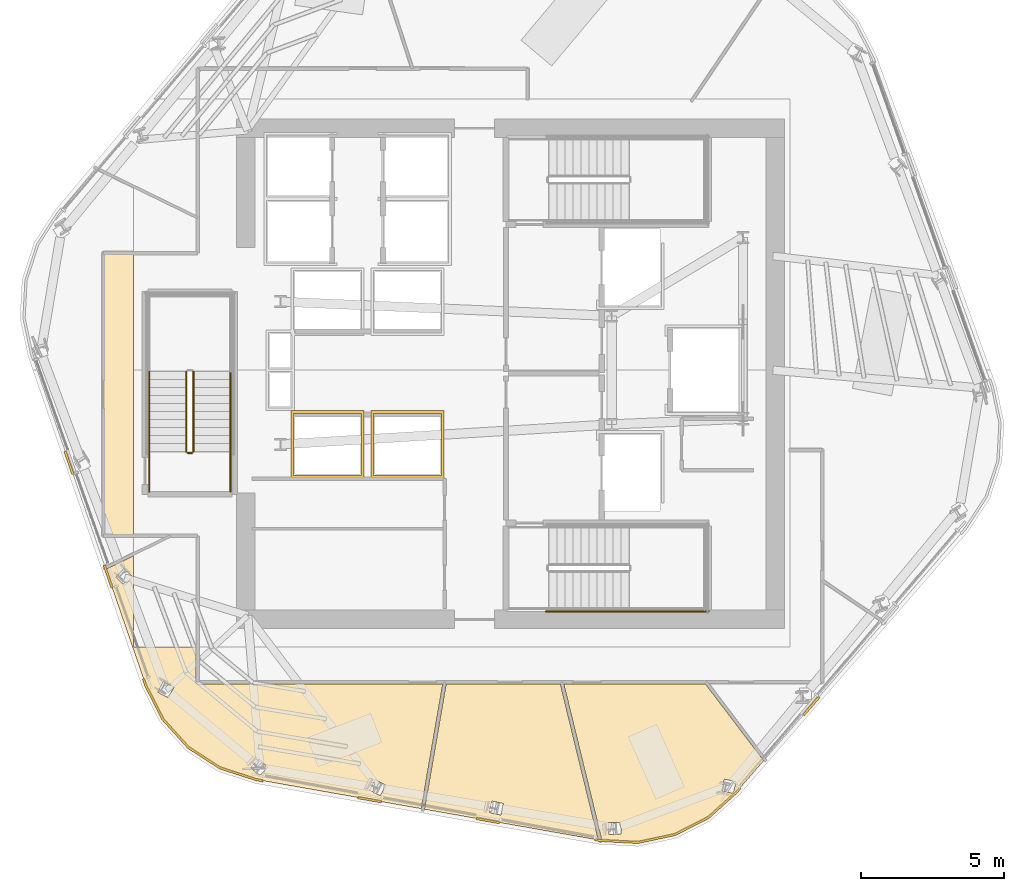
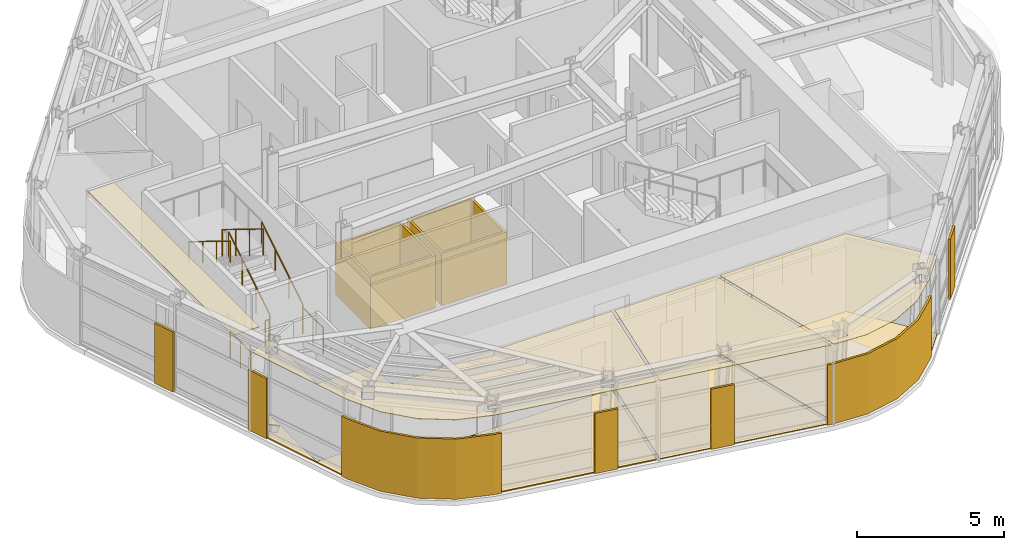
# One storey, part 8 of 12: 16 coverings, 8 railings.
"""IFC4 building model written with IfcOpenShell, lengths in metres."""

from ifc_helpers import new_model, si_unit, direction, frame, origin, origin_2d, place, context, subcontext, project, spatial, polyline, circle, outline, extrude, material, layer, layer_set, type_object, element, save


model = new_model("IFC4")

# Units and contexts
model_context = context("Model", 3, precision=1e-05, world=origin(), true_north=direction((0.0, 1.0)))
body_context = subcontext(model_context, "Body", "Model", "MODEL_VIEW")
ifc_project = project(units=[si_unit("LENGTHUNIT", "METRE"), si_unit("AREAUNIT", "SQUARE_METRE"), si_unit("VOLUMEUNIT", "CUBIC_METRE"), si_unit("PLANEANGLEUNIT", "RADIAN"), si_unit("MASSUNIT", "GRAM", prefix="KILO")], contexts=[model_context])

# Site, building, storey
site_placement = place(None, origin())
site = spatial("IfcSite", under=ifc_project, at=site_placement, CompositionType="ELEMENT")
building_placement = place(site_placement, origin())
building = spatial("IfcBuilding", under=site, at=building_placement, Name="Valkerne Bourse Tower", CompositionType="ELEMENT")
storey_placement = place(building_placement, frame((0.0, 0.0, 236.0)))
storey = spatial("IfcBuildingStorey", under=building, at=storey_placement, Name="L60", CompositionType="ELEMENT", Elevation=236.0)

# Coverings
ifc_material_1 = material(Name="Mineral Fiber Acoustic Ceiling Tile", Category="acoustic")
ifc_layer_1 = layer(ifc_material_1, 0.02490234375)
ifc_layer_set_1 = layer_set([ifc_layer_1], Name="Mineral Fiber Acoustic Ceiling Tile")
covering_type_1 = type_object("IfcCoveringType", Name="COV-CEIL-ACT", PredefinedType="CEILING", material=ifc_layer_set_1)
covering_1_placement = place(storey_placement, frame((0.0, 0.0, 3.25)))
element("IfcCovering", 1, at=covering_1_placement, inside=storey, type_object=covering_type_1, Name="L60 Suspended Ceiling 05", PredefinedType="CEILING", context=body_context, shape_type="SweptSolid", body=[
    extrude(outline(polyline([(48.550048828125, 16.010986328125), (49.882568359375, 10.54443359375), (43.79345703125, 11.62109375), (44.5517578125, 16.010986328125), (48.550048828125, 16.010986328125)]), holes=[polyline([(46.152587890625, 11.910400390625), (46.150390625, 11.91064453125), (46.060302734375, 11.5087890625), (46.463623046875, 11.41796875), (46.4658203125, 11.417724609375), (46.55615234375, 11.819580078125), (46.152587890625, 11.910400390625)])]), origin(), (0.0, 0.0, 1.0), 0.02490234375),
])
covering_2_placement = place(storey_placement, frame((0.0, 0.0, 3.25)))
element("IfcCovering", 2, at=covering_2_placement, inside=storey, type_object=covering_type_1, Name="L60 Suspended Ceiling 06", PredefinedType="CEILING", context=body_context, shape_type="SweptSolid", body=[
    extrude(outline(polyline([(52.558349609375, 10.739013671875), (51.267578125, 10.46484375), (50.00732421875, 10.53076171875), (48.67138671875, 16.010986328125), (53.632080078125, 16.010986328125), (55.6728515625, 13.322509765625), (54.72216796875, 12.227783203125), (53.73388671875, 11.338134765625), (52.558349609375, 10.739013671875)]), holes=[polyline([(50.6748046875, 10.75439453125), (50.659912109375, 11.166015625), (50.24658203125, 11.151611328125), (50.244384765625, 11.15087890625), (50.25927734375, 10.7392578125), (50.67236328125, 10.75390625), (50.6748046875, 10.75439453125)]), polyline([(54.69970703125, 12.58251953125), (54.299072265625, 12.676513671875), (54.297119140625, 12.67529296875), (54.203369140625, 12.27197265625), (54.60400390625, 12.17822265625), (54.606201171875, 12.17919921875), (54.69970703125, 12.58251953125)])]), origin(), (0.0, 0.0, 1.0), 0.02490234375),
])
covering_3_placement = place(storey_placement, frame((0.0, 0.0, 3.25)))
element("IfcCovering", 3, at=covering_3_placement, inside=storey, type_object=covering_type_1, Name="L60 Suspended Ceiling 09", PredefinedType="CEILING", context=body_context, shape_type="SweptSolid", body=[
    extrude(outline(polyline([(35.52099609375, 13.7939453125), (34.63818359375, 14.774658203125), (34.034912109375, 15.958251953125), (32.6328125, 20.0244140625), (33.60009765625, 20.496337890625), (33.60009765625, 17.300048828125), (35.781005859375, 17.300048828125), (35.781005859375, 16.07958984375), (35.790283203125, 16.044921875), (35.81494140625, 16.0205078125), (35.849609375, 16.010986328125), (44.431884765625, 16.010986328125), (43.67724609375, 11.6416015625), (37.89111328125, 12.664794921875), (36.627685546875, 13.0751953125), (35.52099609375, 13.7939453125)]), holes=[polyline([(42.073974609375, 12.655029296875), (42.072021484375, 12.65576171875), (41.8759765625, 12.29345703125), (42.239501953125, 12.096435546875), (42.24169921875, 12.095703125), (42.4375, 12.4580078125), (42.073974609375, 12.655029296875)]), polyline([(37.99609375, 13.37841796875), (37.994140625, 13.379638671875), (37.712890625, 13.078857421875), (38.014404296875, 12.796142578125), (38.0166015625, 12.794921875), (38.2978515625, 13.095458984375), (37.99609375, 13.37841796875)]), polyline([(35.010498046875, 15.89453125), (34.647216796875, 16.0869140625), (34.45263671875, 15.72119140625), (34.454345703125, 15.719482421875), (34.8173828125, 15.527099609375), (35.011962890625, 15.892822265625), (35.010498046875, 15.89453125)]), polyline([(33.564208984375, 19.77197265625), (33.261474609375, 20.05029296875), (32.980712890625, 19.74609375), (32.981689453125, 19.743896484375), (33.2841796875, 19.465576171875), (33.565185546875, 19.77001953125), (33.564208984375, 19.77197265625)])]), origin(), (0.0, 0.0, 1.0), 0.02490234375),
])
ifc_material_2 = material(Name="Bronze Anodised Aluminium AA 6063-T6", Category="aluminium")
ifc_layer_2 = layer(ifc_material_2, 0.030029296875)
ifc_layer_set_2 = layer_set([ifc_layer_2], Name="Bronze Anodised Aluminium AA 6063-T6")
covering_type_2 = type_object("IfcCoveringType", Name="COV-CEIL-METAL", PredefinedType="CEILING", material=ifc_layer_set_2)
covering_4_placement = place(storey_placement, frame((0.0, 0.0, 3.25)))
element("IfcCovering", 4, at=covering_4_placement, inside=storey, type_object=covering_type_2, Name="L60 Suspended Ceiling 02", PredefinedType="CEILING", context=body_context, shape_type="SweptSolid", body=[
    extrude(outline(polyline([(32.553955078125, 21.2041015625), (32.553955078125, 31.095947265625), (33.60009765625, 31.095947265625), (33.60009765625, 21.2041015625), (32.553955078125, 21.2041015625)])), origin(), (0.0, 0.0, 1.0), 0.02490234375),
])
ifc_layer_3 = layer(ifc_material_2, 0.06005859375)
ifc_layer_set_3 = layer_set([ifc_layer_3], Name="Bronze Anodised Aluminium AA 6063-T6")
covering_type_3 = type_object("IfcCoveringType", Name="COV-CRN-ALUM", PredefinedType="CLADDING", material=ifc_layer_set_3)
covering_5_placement = place(storey_placement, origin())
element("IfcCovering", 5, at=covering_5_placement, inside=storey, type_object=covering_type_3, Name="L60 Wind-Shaped Corner Aluminium Cladding 03", PredefinedType="CLADDING", context=body_context, shape_type="SweptSolid", body=[
    extrude(outline(polyline([(57.09130859375, 14.888671875), (57.0302734375, 14.940673828125), (57.5810546875, 15.574951171875), (57.64208984375, 15.52294921875), (57.09130859375, 14.888671875)])), origin(), (0.0, 0.0, 1.0), 2.5),
])
covering_6_placement = place(storey_placement, origin())
element("IfcCovering", 6, at=covering_6_placement, inside=storey, type_object=covering_type_3, Name="L60 Wind-Shaped Corner Aluminium Cladding 04", PredefinedType="CLADDING", context=body_context, shape_type="SweptSolid", body=[
    extrude(outline(polyline([(54.753662109375, 12.197021484375), (53.75927734375, 11.301513671875), (52.572998046875, 10.697265625), (51.27099609375, 10.420654296875), (49.934814453125, 10.490478515625), (49.744873046875, 10.524169921875), (49.759521484375, 10.602783203125), (49.94384765625, 10.5703125), (51.2646484375, 10.5009765625), (52.546142578125, 10.773193359375), (53.71337890625, 11.3681640625), (54.6962890625, 12.253173828125), (54.8193359375, 12.39453125), (54.880126953125, 12.342529296875), (54.753662109375, 12.197021484375)])), origin(), (0.0, 0.0, 1.0), 2.5),
])
covering_7_placement = place(storey_placement, origin())
element("IfcCovering", 7, at=covering_7_placement, inside=storey, type_object=covering_type_3, Name="L60 Wind-Shaped Corner Aluminium Cladding 05", PredefinedType="CLADDING", context=body_context, shape_type="SweptSolid", body=[
    extrude(outline(polyline([(45.59716796875, 11.257568359375), (45.611572265625, 11.336181640625), (46.438720703125, 11.18994140625), (46.42431640625, 11.111328125), (45.59716796875, 11.257568359375)])), origin(), (0.0, 0.0, 1.0), 2.5),
])
covering_8_placement = place(storey_placement, origin())
element("IfcCovering", 8, at=covering_8_placement, inside=storey, type_object=covering_type_3, Name="L60 Wind-Shaped Corner Aluminium Cladding 06", PredefinedType="CLADDING", context=body_context, shape_type="SweptSolid", body=[
    extrude(outline(polyline([(41.44921875, 11.990966796875), (41.4638671875, 12.069580078125), (42.291015625, 11.92333984375), (42.2763671875, 11.8447265625), (41.44921875, 11.990966796875)])), origin(), (0.0, 0.0, 1.0), 2.5),
])
covering_9_placement = place(storey_placement, origin())
element("IfcCovering", 9, at=covering_9_placement, inside=storey, type_object=covering_type_3, Name="L60 Wind-Shaped Corner Aluminium Cladding 07", PredefinedType="CLADDING", context=body_context, shape_type="SweptSolid", body=[
    extrude(outline(polyline([(37.880615234375, 12.6220703125), (36.608642578125, 13.03515625), (35.4921875, 13.76025390625), (34.6015625, 14.74951171875), (33.994384765625, 15.941162109375), (33.912109375, 16.17919921875), (33.987548828125, 16.2060546875), (34.068115234375, 15.972412109375), (34.66796875, 14.795166015625), (35.544677734375, 13.82177734375), (36.643310546875, 13.108154296875), (37.89990234375, 12.699951171875), (38.143310546875, 12.656982421875), (38.128662109375, 12.578125), (37.880615234375, 12.6220703125)])), origin(), (0.0, 0.0, 1.0), 2.5),
])
covering_10_placement = place(storey_placement, origin())
element("IfcCovering", 10, at=covering_10_placement, inside=storey, type_object=covering_type_3, Name="L60 Wind-Shaped Corner Aluminium Cladding 08", PredefinedType="CLADDING", context=body_context, shape_type="SweptSolid", body=[
    extrude(outline(polyline([(32.538818359375, 20.161376953125), (32.614501953125, 20.18798828125), (32.88818359375, 19.393798828125), (32.812744140625, 19.3671875), (32.538818359375, 20.161376953125)])), origin(), (0.0, 0.0, 1.0), 2.5),
])
covering_11_placement = place(storey_placement, origin())
element("IfcCovering", 11, at=covering_11_placement, inside=storey, type_object=covering_type_3, Name="L60 Wind-Shaped Corner Aluminium Cladding 09", PredefinedType="CLADDING", context=body_context, shape_type="SweptSolid", body=[
    extrude(outline(polyline([(31.165771484375, 24.143310546875), (31.2412109375, 24.169921875), (31.514892578125, 23.3759765625), (31.439697265625, 23.34912109375), (31.165771484375, 24.143310546875)])), origin(), (0.0, 0.0, 1.0), 2.5),
])
ifc_material_3 = material(Name="Galvanised Painted Steel", Category="steel")
ifc_layer_4 = layer(ifc_material_3, 0.044921875)
ifc_layer_set_4 = layer_set([ifc_layer_4], Name="Galvanised Painted Steel")
covering_type_4 = type_object("IfcCoveringType", Name="COV-FLR-RAF", PredefinedType="FLOORING", material=ifc_layer_set_4)
covering_12_placement = place(storey_placement, origin())
element("IfcCovering", 12, at=covering_12_placement, inside=storey, type_object=covering_type_4, Name="L60 Floor Finish 06", PredefinedType="FLOORING", context=body_context, shape_type="SweptSolid", body=[
    extrude(outline(polyline([(52.558349609375, 10.739013671875), (51.267578125, 10.46484375), (50.00732421875, 10.53076171875), (48.67138671875, 16.010986328125), (53.632080078125, 16.010986328125), (55.6728515625, 13.322509765625), (54.72216796875, 12.227783203125), (53.73388671875, 11.338134765625), (52.558349609375, 10.739013671875)]), holes=[polyline([(50.6748046875, 10.75439453125), (50.659912109375, 11.166015625), (50.24658203125, 11.151611328125), (50.244384765625, 11.15087890625), (50.25927734375, 10.7392578125), (50.67236328125, 10.75390625), (50.6748046875, 10.75439453125)]), polyline([(54.69970703125, 12.58251953125), (54.299072265625, 12.676513671875), (54.297119140625, 12.67529296875), (54.203369140625, 12.27197265625), (54.60400390625, 12.17822265625), (54.606201171875, 12.17919921875), (54.69970703125, 12.58251953125)])]), origin(), (0.0, 0.0, 1.0), 0.044921875),
])
covering_13_placement = place(storey_placement, origin())
element("IfcCovering", 13, at=covering_13_placement, inside=storey, type_object=covering_type_4, Name="L60 Floor Finish 09", PredefinedType="FLOORING", context=body_context, shape_type="SweptSolid", body=[
    extrude(outline(polyline([(35.52099609375, 13.7939453125), (34.63818359375, 14.774658203125), (34.034912109375, 15.958251953125), (32.6328125, 20.0244140625), (33.60009765625, 20.496337890625), (33.60009765625, 17.300048828125), (35.781005859375, 17.300048828125), (35.781005859375, 16.07958984375), (35.790283203125, 16.044921875), (35.81494140625, 16.0205078125), (35.849609375, 16.010986328125), (44.431884765625, 16.010986328125), (43.67724609375, 11.6416015625), (37.89111328125, 12.664794921875), (36.627685546875, 13.0751953125), (35.52099609375, 13.7939453125)]), holes=[polyline([(42.073974609375, 12.655029296875), (42.072021484375, 12.65576171875), (41.8759765625, 12.29345703125), (42.239501953125, 12.096435546875), (42.24169921875, 12.095703125), (42.4375, 12.4580078125), (42.073974609375, 12.655029296875)]), polyline([(37.99609375, 13.37841796875), (37.994140625, 13.379638671875), (37.712890625, 13.078857421875), (38.014404296875, 12.796142578125), (38.0166015625, 12.794921875), (38.2978515625, 13.095458984375), (37.99609375, 13.37841796875)]), polyline([(35.010498046875, 15.89453125), (34.647216796875, 16.0869140625), (34.45263671875, 15.72119140625), (34.454345703125, 15.719482421875), (34.8173828125, 15.527099609375), (35.011962890625, 15.892822265625), (35.010498046875, 15.89453125)]), polyline([(33.564208984375, 19.77197265625), (33.261474609375, 20.05029296875), (32.980712890625, 19.74609375), (32.981689453125, 19.743896484375), (33.2841796875, 19.465576171875), (33.565185546875, 19.77001953125), (33.564208984375, 19.77197265625)])]), origin(), (0.0, 0.0, 1.0), 0.044921875),
])
ifc_material_4 = material(Name="Polished Granite Stone", Category="masonry")
ifc_layer_5 = layer(ifc_material_4, 0.030029296875)
ifc_layer_set_5 = layer_set([ifc_layer_5], Name="Polished Granite Stone")
covering_type_5 = type_object("IfcCoveringType", Name="COV-FLR-TERRAZZO", PredefinedType="FLOORING", material=ifc_layer_set_5)
covering_14_placement = place(storey_placement, origin())
element("IfcCovering", 14, at=covering_14_placement, inside=storey, type_object=covering_type_5, Name="L60 Floor Finish 05", PredefinedType="FLOORING", context=body_context, shape_type="SweptSolid", body=[
    extrude(outline(polyline([(48.550048828125, 16.010986328125), (49.882568359375, 10.54443359375), (43.79345703125, 11.62109375), (44.5517578125, 16.010986328125), (48.550048828125, 16.010986328125)]), holes=[polyline([(46.152587890625, 11.910400390625), (46.150390625, 11.91064453125), (46.060302734375, 11.5087890625), (46.463623046875, 11.41796875), (46.4658203125, 11.417724609375), (46.55615234375, 11.819580078125), (46.152587890625, 11.910400390625)])]), origin(), (0.0, 0.0, 1.0), 0.030029296875),
])
ifc_material_5 = material(Name="Gypsum Shaftwall Liner Board", Category="gypsum")
ifc_layer_6 = layer(ifc_material_5, 0.080078125)
ifc_layer_set_6 = layer_set([ifc_layer_6], Name="Gypsum Shaftwall Liner Board")
covering_type_6 = type_object("IfcCoveringType", Name="COV-SHF-CLAD", PredefinedType="CLADDING", material=ifc_layer_set_6)
covering_15_placement = place(storey_placement, origin())
element("IfcCovering", 15, at=covering_15_placement, inside=storey, type_object=covering_type_6, Name="L60 Hoistway & Riser Shaftwall Liner 01", PredefinedType="CLADDING", context=body_context, shape_type="SweptSolid", body=[
    extrude(outline(polyline([(41.679931640625, 25.580078125), (41.679931640625, 23.219970703125), (39.1201171875, 23.219970703125), (39.1201171875, 25.580078125), (41.679931640625, 25.580078125)]), holes=[polyline([(41.590087890625, 25.489990234375), (39.2099609375, 25.489990234375), (39.2099609375, 23.31005859375), (41.590087890625, 23.31005859375), (41.590087890625, 25.489990234375)])]), origin(), (0.0, 0.0, 1.0), 2.179931640625),
])
covering_16_placement = place(storey_placement, origin())
element("IfcCovering", 16, at=covering_16_placement, inside=storey, type_object=covering_type_6, Name="L60 Hoistway & Riser Shaftwall Liner 02", PredefinedType="CLADDING", context=body_context, shape_type="SweptSolid", body=[
    extrude(outline(polyline([(44.47998046875, 23.219970703125), (41.919921875, 23.219970703125), (41.919921875, 25.580078125), (44.47998046875, 25.580078125), (44.47998046875, 23.219970703125)]), holes=[polyline([(42.010009765625, 25.489990234375), (42.010009765625, 23.31005859375), (44.389892578125, 23.31005859375), (44.389892578125, 25.489990234375), (42.010009765625, 25.489990234375)])]), origin(), (0.0, 0.0, 1.0), 2.179931640625),
])

# Railings
railing_type_1 = type_object("IfcRailingType", Name="RLG-ST-GUARD-1120", PredefinedType="GUARDRAIL", material=ifc_material_3)
railing_1_placement = place(storey_placement, frame((48.050048828125, 18.550048828125, 0.0)))
element("IfcRailing", 17, at=railing_1_placement, inside=storey, type_object=railing_type_1, Name="L60 ST-1 stair guard 10", PredefinedType="GUARDRAIL", context=body_context, shape_type="SweptSolid", body=[
    extrude(circle(Radius=0.02392578125, at=origin_2d()), frame((0.0, 0.0, 1.09619140625), z_axis=(1.0, 0.0, 0.0), x_axis=(0.0, 1.0, 0.0)), (0.0, 0.0, 1.0), 5.699951171875),
    extrude(circle(Radius=0.02099609375, at=origin_2d()), origin(), (0.0, 0.0, 1.0), 1.072021484375),
    extrude(circle(Radius=0.02099609375, at=origin_2d()), frame((1.139892578125, 0.0, 0.0)), (0.0, 0.0, 1.0), 1.072021484375),
    extrude(circle(Radius=0.02099609375, at=origin_2d()), frame((2.280029296875, 0.0, 0.0)), (0.0, 0.0, 1.0), 1.072021484375),
    extrude(circle(Radius=0.02099609375, at=origin_2d()), frame((3.419921875, 0.0, 0.0)), (0.0, 0.0, 1.0), 1.072021484375),
    extrude(circle(Radius=0.02099609375, at=origin_2d()), frame((4.56005859375, 0.0, 0.0)), (0.0, 0.0, 1.0), 1.072021484375),
    extrude(circle(Radius=0.02099609375, at=origin_2d()), frame((5.699951171875, 0.0, 0.0)), (0.0, 0.0, 1.0), 1.072021484375),
])
railing_2_placement = place(storey_placement, frame((35.699951171875, 24.14990234375, 0.172607421875)))
element("IfcRailing", 18, at=railing_2_placement, inside=storey, type_object=railing_type_1, Name="L60 ST-3 stair guard 1", PredefinedType="GUARDRAIL", context=body_context, shape_type="SweptSolid", body=[
    extrude(circle(Radius=0.02392578125, at=origin_2d()), frame((0.0, 0.0, 1.09619140625), z_axis=(0.0, 0.851089632645, 0.525020415988), x_axis=(-1.0, 0.0, 0.0)), (0.0, 0.0, 1.0), 3.2900390625),
    extrude(circle(Radius=0.02099609375, at=origin_2d()), origin(), (0.0, 0.0, 1.0), 1.072021484375),
    extrude(circle(Radius=0.02099609375, at=origin_2d()), frame((0.0, 0.933349609375, 0.57568359375)), (0.0, 0.0, 1.0), 1.072021484375),
    extrude(circle(Radius=0.02099609375, at=origin_2d()), frame((0.0, 1.86669921875, 1.151611328125)), (0.0, 0.0, 1.0), 1.072021484375),
    extrude(circle(Radius=0.02099609375, at=origin_2d()), frame((0.0, 2.800048828125, 1.727294921875)), (0.0, 0.0, 1.0), 1.072021484375),
])
railing_3_placement = place(storey_placement, frame((35.449951171875, 26.949951171875, 2.07275390625)))
element("IfcRailing", 19, at=railing_3_placement, inside=storey, type_object=railing_type_1, Name="L60 ST-3 stair guard 6", PredefinedType="GUARDRAIL", context=body_context, shape_type="SweptSolid", body=[
    extrude(circle(Radius=0.02392578125, at=origin_2d()), frame((0.0, 0.0, 1.09619140625), z_axis=(0.0, -0.851089632645, 0.525020415988), x_axis=(1.0, 0.0, 0.0)), (0.0, 0.0, 1.0), 3.2900390625),
    extrude(circle(Radius=0.02099609375, at=origin_2d()), origin(), (0.0, 0.0, 1.0), 1.072021484375),
    extrude(circle(Radius=0.02099609375, at=origin_2d()), frame((0.0, -0.933349609375, 0.57568359375)), (0.0, 0.0, 1.0), 1.072021484375),
    extrude(circle(Radius=0.02099609375, at=origin_2d()), frame((0.0, -1.86669921875, 1.151611328125)), (0.0, 0.0, 1.0), 1.072021484375),
    extrude(circle(Radius=0.02099609375, at=origin_2d()), frame((0.0, -2.800048828125, 1.727294921875)), (0.0, 0.0, 1.0), 1.072021484375),
])
railing_4_placement = place(storey_placement, frame((35.64990234375, 24.10009765625, 0.0)))
element("IfcRailing", 20, at=railing_4_placement, inside=storey, type_object=railing_type_1, Name="L60 ST-3 stair guard 7", PredefinedType="GUARDRAIL", context=body_context, shape_type="SweptSolid", body=[
    extrude(circle(Radius=0.02392578125, at=origin_2d()), frame((0.0, 0.0, 1.09619140625), z_axis=(-1.0, 0.0, 0.0), x_axis=(0.0, -1.0, 0.0)), (0.0, 0.0, 1.0), 0.14990234375),
    extrude(circle(Radius=0.02099609375, at=origin_2d()), origin(), (0.0, 0.0, 1.0), 1.072021484375),
    extrude(circle(Radius=0.02099609375, at=origin_2d()), frame((-0.14990234375, 0.0, 0.0)), (0.0, 0.0, 1.0), 1.072021484375),
])
for number, where, name in (
    (21, (37.0, 22.75, 0.0), "L60 ST-3 stair guard 8"),
    (22, (34.14990234375, 22.75, 0.0), "L60 ST-3 stair guard 9"),
):
    element("IfcRailing", number, at=place(storey_placement, frame(where)), inside=storey, type_object=railing_type_1, Name=name, PredefinedType="GUARDRAIL", context=body_context, shape_type="SweptSolid", body=[
        extrude(circle(Radius=0.02392578125, at=origin_2d()), frame((0.0, 0.0, 1.09619140625), z_axis=(0.0, 1.0, 0.0), x_axis=(-1.0, 0.0, 0.0)), (0.0, 0.0, 1.0), 1.39990234375),
        extrude(circle(Radius=0.02099609375, at=origin_2d()), origin(), (0.0, 0.0, 1.0), 1.072021484375),
        extrude(circle(Radius=0.02099609375, at=origin_2d()), frame((0.0, 0.699951171875, 0.0)), (0.0, 0.0, 1.0), 1.072021484375),
        extrude(circle(Radius=0.02099609375, at=origin_2d()), frame((0.0, 1.39990234375, 0.0)), (0.0, 0.0, 1.0), 1.072021484375),
    ])
ifc_material_6 = material(Name="Stainless Steel AISI 316", Category="steel")
railing_type_2 = type_object("IfcRailingType", Name="RLG-ST-HANDRAIL-900", PredefinedType="HANDRAIL", material=ifc_material_6)
railing_5_placement = place(storey_placement, frame((37.0, 24.14990234375, 0.345458984375)))
element("IfcRailing", 23, at=railing_5_placement, inside=storey, type_object=railing_type_2, Name="L60 ST-3 stair handrail 1", PredefinedType="HANDRAIL", context=body_context, shape_type="SweptSolid", body=[
    extrude(circle(Radius=0.02392578125, at=origin_2d()), frame((0.0, 0.0, 0.8759765625), z_axis=(0.0, 0.851089632645, 0.525020415988), x_axis=(-1.0, 0.0, 0.0)), (0.0, 0.0, 1.0), 3.2900390625),
    extrude(circle(Radius=0.02099609375, at=origin_2d()), origin(), (0.0, 0.0, 1.0), 0.851806640625),
    extrude(circle(Radius=0.02099609375, at=origin_2d()), frame((0.0, 0.933349609375, 0.57568359375)), (0.0, 0.0, 1.0), 0.851806640625),
    extrude(circle(Radius=0.02099609375, at=origin_2d()), frame((0.0, 1.86669921875, 1.151611328125)), (0.0, 0.0, 1.0), 0.851806640625),
    extrude(circle(Radius=0.02099609375, at=origin_2d()), frame((0.0, 2.800048828125, 1.727294921875)), (0.0, 0.0, 1.0), 0.851806640625),
])
railing_6_placement = place(storey_placement, frame((34.14990234375, 26.949951171875, 2.245361328125)))
element("IfcRailing", 24, at=railing_6_placement, inside=storey, type_object=railing_type_2, Name="L60 ST-3 stair handrail 2", PredefinedType="HANDRAIL", context=body_context, shape_type="SweptSolid", body=[
    extrude(circle(Radius=0.02392578125, at=origin_2d()), frame((0.0, 0.0, 0.8759765625), z_axis=(0.0, -0.851089632645, 0.525020415988), x_axis=(1.0, 0.0, 0.0)), (0.0, 0.0, 1.0), 3.2900390625),
    extrude(circle(Radius=0.02099609375, at=origin_2d()), origin(), (0.0, 0.0, 1.0), 0.851806640625),
    extrude(circle(Radius=0.02099609375, at=origin_2d()), frame((0.0, -0.933349609375, 0.57568359375)), (0.0, 0.0, 1.0), 0.851806640625),
    extrude(circle(Radius=0.02099609375, at=origin_2d()), frame((0.0, -1.86669921875, 1.151611328125)), (0.0, 0.0, 1.0), 0.851806640625),
    extrude(circle(Radius=0.02099609375, at=origin_2d()), frame((0.0, -2.800048828125, 1.727294921875)), (0.0, 0.0, 1.0), 0.851806640625),
])

save(model, "model.ifc")
